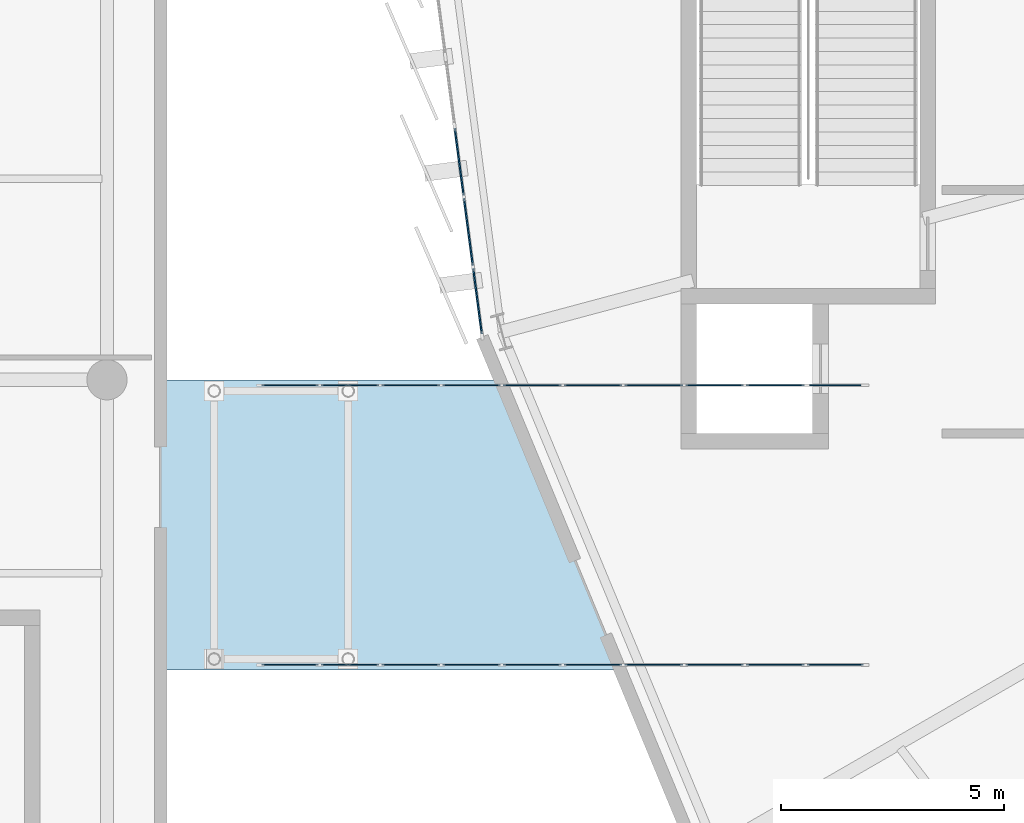
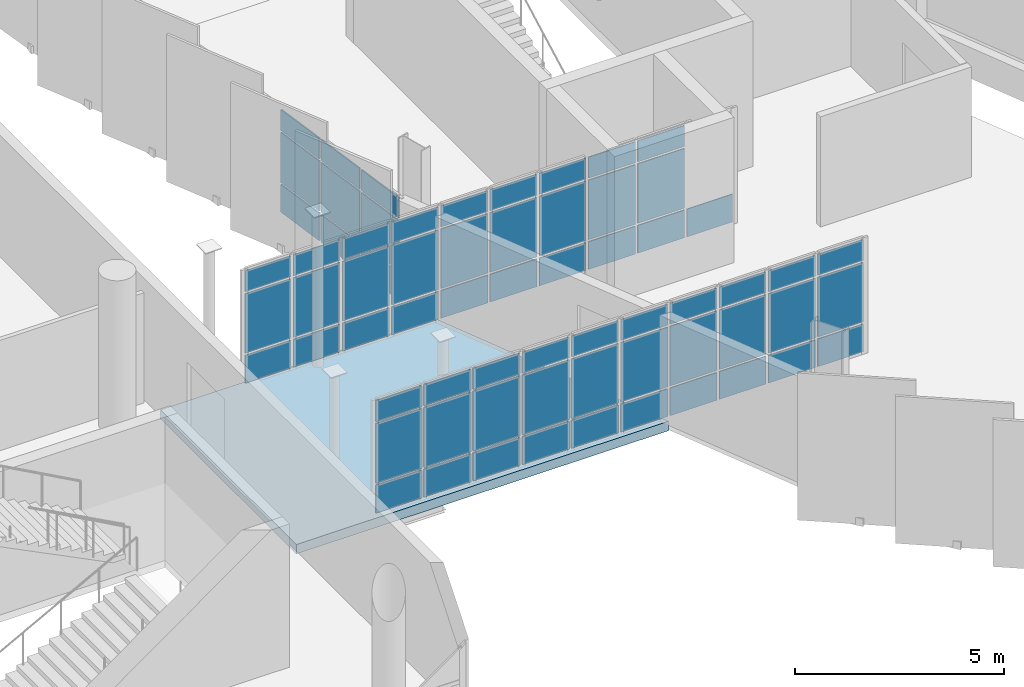
# One storey, part 81 of 125: 67 plates, 1 slab, 3 elements without a shape of their own.
"""IFC4 building model written with IfcOpenShell, lengths in metres."""

from ifc_helpers import new_model, si_unit, direction, frame, origin, origin_2d, place, context, subcontext, project, spatial, polyline, rectangle, outline, extrude, material, layer, layer_set, type_object, element, aggregate, save


model = new_model("IFC4")

# Units and contexts
model_context = context("Model", 3, precision=1e-05, world=origin(), true_north=direction((0.0, 1.0)))
body_context = subcontext(model_context, "Body", "Model", "MODEL_VIEW")
ifc_project = project(units=[si_unit("LENGTHUNIT", "METRE"), si_unit("AREAUNIT", "SQUARE_METRE"), si_unit("VOLUMEUNIT", "CUBIC_METRE"), si_unit("PLANEANGLEUNIT", "RADIAN"), si_unit("MASSUNIT", "GRAM", prefix="KILO")], contexts=[model_context])

# Site, building, storey
site_placement = place(None, origin())
site = spatial("IfcSite", under=ifc_project, at=site_placement, CompositionType="ELEMENT")
building_placement = place(site_placement, origin())
building = spatial("IfcBuilding", under=site, at=building_placement, Name="Sohan Crest Arena", CompositionType="ELEMENT")
storey_placement = place(building_placement, frame((0.0, 0.0, 9.0)))
storey = spatial("IfcBuildingStorey", under=building, at=storey_placement, Name="L02", CompositionType="ELEMENT", Elevation=9.0)

# Curtain wall, plates
ifc_material_1 = material(Name="Thermally broken anodised aluminium", Category="aluminium")
ifc_layer_1 = layer(ifc_material_1, 0.18994140625, Name="Thermally broken anodised aluminium")
ifc_layer_set_1 = layer_set([ifc_layer_1], Name="Thermally broken anodised aluminium")
curtain_wall_type_1 = type_object("IfcCurtainWallType", Name="ARC-CW05", PredefinedType="NOTDEFINED", material=ifc_layer_set_1)
curtain_wall_1_placement = place(storey_placement, origin())
curtain_wall_1 = element("IfcCurtainWall", 1, at=curtain_wall_1_placement, inside=storey, type_object=curtain_wall_type_1, Name="Unitised curtain wall CW-227", PredefinedType="NOTDEFINED")
ifc_material_2 = material(Name="Low-E double-glazed insulated glass", Category="glass")
ifc_layer_2 = layer(ifc_material_2, 0.028076171875, Name="Low-E double-glazed insulated glass")
ifc_layer_set_2 = layer_set([ifc_layer_2], Name="Low-E double-glazed insulated glass")
plate_type_1 = type_object("IfcPlateType", Name="ARC-CNP01", PredefinedType="CURTAIN_PANEL", material=ifc_layer_set_2)
plate_1_placement = place(storey_placement, frame((46.896240234375, 58.1201171875, 0.06005859375), z_axis=(0.0, 0.0, 1.0), x_axis=(1.0, 0.0, 0.0)))
plate_1 = element("IfcPlate", 2, at=plate_1_placement, type_object=plate_type_1, Name="CW-227 panel 1.1", PredefinedType="CURTAIN_PANEL", context=body_context, shape_type="SweptSolid", body=[
    extrude(rectangle(XDim=1.262451171875, YDim=0.028076171875, at=origin_2d()), origin(), (0.0, 0.0, 1.0), 0.81005859375),
])
plate_2_placement = place(storey_placement, frame((46.896240234375, 58.1201171875, 0.93017578125), z_axis=(0.0, 0.0, 1.0), x_axis=(1.0, 0.0, 0.0)))
plate_2 = element("IfcPlate", 3, at=plate_2_placement, type_object=plate_type_1, Name="CW-227 panel 1.2", PredefinedType="CURTAIN_PANEL", context=body_context, shape_type="SweptSolid", body=[
    extrude(rectangle(XDim=1.262451171875, YDim=0.028076171875, at=origin_2d()), origin(), (0.0, 0.0, 1.0), 1.739990234375),
])
plate_3_placement = place(storey_placement, frame((46.896240234375, 58.1201171875, 2.72998046875), z_axis=(0.0, 0.0, 1.0), x_axis=(1.0, 0.0, 0.0)))
plate_3 = element("IfcPlate", 4, at=plate_3_placement, type_object=plate_type_1, Name="CW-227 panel 1.3", PredefinedType="CURTAIN_PANEL", context=body_context, shape_type="SweptSolid", body=[
    extrude(rectangle(XDim=1.262451171875, YDim=0.028076171875, at=origin_2d()), origin(), (0.0, 0.0, 1.0), 0.610107421875),
])
plate_4_placement = place(storey_placement, frame((48.239990234375, 58.1201171875, 0.06005859375), z_axis=(0.0, 0.0, 1.0), x_axis=(1.0, 0.0, 0.0)))
plate_4 = element("IfcPlate", 5, at=plate_4_placement, type_object=plate_type_1, Name="CW-227 panel 2.1", PredefinedType="CURTAIN_PANEL", context=body_context, shape_type="SweptSolid", body=[
    extrude(rectangle(XDim=1.294921875, YDim=0.028076171875, at=origin_2d()), origin(), (0.0, 0.0, 1.0), 0.81005859375),
])
plate_5_placement = place(storey_placement, frame((48.239990234375, 58.1201171875, 0.93017578125), z_axis=(0.0, 0.0, 1.0), x_axis=(1.0, 0.0, 0.0)))
plate_5 = element("IfcPlate", 6, at=plate_5_placement, type_object=plate_type_1, Name="CW-227 panel 2.2", PredefinedType="CURTAIN_PANEL", context=body_context, shape_type="SweptSolid", body=[
    extrude(rectangle(XDim=1.294921875, YDim=0.028076171875, at=origin_2d()), origin(), (0.0, 0.0, 1.0), 1.739990234375),
])
plate_6_placement = place(storey_placement, frame((48.239990234375, 58.1201171875, 2.72998046875), z_axis=(0.0, 0.0, 1.0), x_axis=(1.0, 0.0, 0.0)))
plate_6 = element("IfcPlate", 7, at=plate_6_placement, type_object=plate_type_1, Name="CW-227 panel 2.3", PredefinedType="CURTAIN_PANEL", context=body_context, shape_type="SweptSolid", body=[
    extrude(rectangle(XDim=1.294921875, YDim=0.028076171875, at=origin_2d()), origin(), (0.0, 0.0, 1.0), 0.610107421875),
])
plate_7_placement = place(storey_placement, frame((49.60009765625, 58.1201171875, 0.06005859375), z_axis=(0.0, 0.0, 1.0), x_axis=(1.0, 0.0, 0.0)))
plate_7 = element("IfcPlate", 8, at=plate_7_placement, type_object=plate_type_1, Name="CW-227 panel 3.1", PredefinedType="CURTAIN_PANEL", context=body_context, shape_type="SweptSolid", body=[
    extrude(rectangle(XDim=1.294921875, YDim=0.028076171875, at=origin_2d()), origin(), (0.0, 0.0, 1.0), 0.81005859375),
])
plate_8_placement = place(storey_placement, frame((49.60009765625, 58.1201171875, 0.93017578125), z_axis=(0.0, 0.0, 1.0), x_axis=(1.0, 0.0, 0.0)))
plate_8 = element("IfcPlate", 9, at=plate_8_placement, type_object=plate_type_1, Name="CW-227 panel 3.2", PredefinedType="CURTAIN_PANEL", context=body_context, shape_type="SweptSolid", body=[
    extrude(rectangle(XDim=1.294921875, YDim=0.028076171875, at=origin_2d()), origin(), (0.0, 0.0, 1.0), 1.739990234375),
])
plate_9_placement = place(storey_placement, frame((49.60009765625, 58.1201171875, 2.72998046875), z_axis=(0.0, 0.0, 1.0), x_axis=(1.0, 0.0, 0.0)))
plate_9 = element("IfcPlate", 10, at=plate_9_placement, type_object=plate_type_1, Name="CW-227 panel 3.3", PredefinedType="CURTAIN_PANEL", context=body_context, shape_type="SweptSolid", body=[
    extrude(rectangle(XDim=1.294921875, YDim=0.028076171875, at=origin_2d()), origin(), (0.0, 0.0, 1.0), 0.610107421875),
])
plate_10_placement = place(storey_placement, frame((50.9599609375, 58.1201171875, 0.06005859375), z_axis=(0.0, 0.0, 1.0), x_axis=(1.0, 0.0, 0.0)))
plate_10 = element("IfcPlate", 11, at=plate_10_placement, type_object=plate_type_1, Name="CW-227 panel 4.1", PredefinedType="CURTAIN_PANEL", context=body_context, shape_type="SweptSolid", body=[
    extrude(rectangle(XDim=1.294921875, YDim=0.028076171875, at=origin_2d()), origin(), (0.0, 0.0, 1.0), 0.81005859375),
])
plate_11_placement = place(storey_placement, frame((50.9599609375, 58.1201171875, 0.93017578125), z_axis=(0.0, 0.0, 1.0), x_axis=(1.0, 0.0, 0.0)))
plate_11 = element("IfcPlate", 12, at=plate_11_placement, type_object=plate_type_1, Name="CW-227 panel 4.2", PredefinedType="CURTAIN_PANEL", context=body_context, shape_type="SweptSolid", body=[
    extrude(rectangle(XDim=1.294921875, YDim=0.028076171875, at=origin_2d()), origin(), (0.0, 0.0, 1.0), 1.739990234375),
])
plate_12_placement = place(storey_placement, frame((50.9599609375, 58.1201171875, 2.72998046875), z_axis=(0.0, 0.0, 1.0), x_axis=(1.0, 0.0, 0.0)))
plate_12 = element("IfcPlate", 13, at=plate_12_placement, type_object=plate_type_1, Name="CW-227 panel 4.3", PredefinedType="CURTAIN_PANEL", context=body_context, shape_type="SweptSolid", body=[
    extrude(rectangle(XDim=1.294921875, YDim=0.028076171875, at=origin_2d()), origin(), (0.0, 0.0, 1.0), 0.610107421875),
])
plate_13_placement = place(storey_placement, frame((52.320068359375, 58.1201171875, 0.06005859375), z_axis=(0.0, 0.0, 1.0), x_axis=(1.0, 0.0, 0.0)))
plate_13 = element("IfcPlate", 14, at=plate_13_placement, type_object=plate_type_1, Name="CW-227 panel 5.1", PredefinedType="CURTAIN_PANEL", context=body_context, shape_type="SweptSolid", body=[
    extrude(rectangle(XDim=1.294921875, YDim=0.028076171875, at=origin_2d()), origin(), (0.0, 0.0, 1.0), 0.81005859375),
])
plate_14_placement = place(storey_placement, frame((52.320068359375, 58.1201171875, 0.93017578125), z_axis=(0.0, 0.0, 1.0), x_axis=(1.0, 0.0, 0.0)))
plate_14 = element("IfcPlate", 15, at=plate_14_placement, type_object=plate_type_1, Name="CW-227 panel 5.2", PredefinedType="CURTAIN_PANEL", context=body_context, shape_type="SweptSolid", body=[
    extrude(rectangle(XDim=1.294921875, YDim=0.028076171875, at=origin_2d()), origin(), (0.0, 0.0, 1.0), 1.739990234375),
])
plate_15_placement = place(storey_placement, frame((52.320068359375, 58.1201171875, 2.72998046875), z_axis=(0.0, 0.0, 1.0), x_axis=(1.0, 0.0, 0.0)))
plate_15 = element("IfcPlate", 16, at=plate_15_placement, type_object=plate_type_1, Name="CW-227 panel 5.3", PredefinedType="CURTAIN_PANEL", context=body_context, shape_type="SweptSolid", body=[
    extrude(rectangle(XDim=1.294921875, YDim=0.028076171875, at=origin_2d()), origin(), (0.0, 0.0, 1.0), 0.610107421875),
])
plate_16_placement = place(storey_placement, frame((53.679931640625, 58.1201171875, 0.06005859375), z_axis=(0.0, 0.0, 1.0), x_axis=(1.0, 0.0, 0.0)))
plate_16 = element("IfcPlate", 17, at=plate_16_placement, type_object=plate_type_1, Name="CW-227 panel 6.1", PredefinedType="CURTAIN_PANEL", context=body_context, shape_type="SweptSolid", body=[
    extrude(rectangle(XDim=1.294921875, YDim=0.028076171875, at=origin_2d()), origin(), (0.0, 0.0, 1.0), 0.81005859375),
])
plate_17_placement = place(storey_placement, frame((53.679931640625, 58.1201171875, 0.93017578125), z_axis=(0.0, 0.0, 1.0), x_axis=(1.0, 0.0, 0.0)))
plate_17 = element("IfcPlate", 18, at=plate_17_placement, type_object=plate_type_1, Name="CW-227 panel 6.2", PredefinedType="CURTAIN_PANEL", context=body_context, shape_type="SweptSolid", body=[
    extrude(rectangle(XDim=1.294921875, YDim=0.028076171875, at=origin_2d()), origin(), (0.0, 0.0, 1.0), 1.739990234375),
])
plate_18_placement = place(storey_placement, frame((53.679931640625, 58.1201171875, 2.72998046875), z_axis=(0.0, 0.0, 1.0), x_axis=(1.0, 0.0, 0.0)))
plate_18 = element("IfcPlate", 19, at=plate_18_placement, type_object=plate_type_1, Name="CW-227 panel 6.3", PredefinedType="CURTAIN_PANEL", context=body_context, shape_type="SweptSolid", body=[
    extrude(rectangle(XDim=1.294921875, YDim=0.028076171875, at=origin_2d()), origin(), (0.0, 0.0, 1.0), 0.610107421875),
])
plate_19_placement = place(storey_placement, frame((55.0400390625, 58.1201171875, 0.06005859375), z_axis=(0.0, 0.0, 1.0), x_axis=(1.0, 0.0, 0.0)))
plate_19 = element("IfcPlate", 20, at=plate_19_placement, type_object=plate_type_1, Name="CW-227 panel 7.1", PredefinedType="CURTAIN_PANEL", context=body_context, shape_type="SweptSolid", body=[
    extrude(rectangle(XDim=1.294921875, YDim=0.028076171875, at=origin_2d()), origin(), (0.0, 0.0, 1.0), 0.81005859375),
])
plate_20_placement = place(storey_placement, frame((55.0400390625, 58.1201171875, 0.93017578125), z_axis=(0.0, 0.0, 1.0), x_axis=(1.0, 0.0, 0.0)))
plate_20 = element("IfcPlate", 21, at=plate_20_placement, type_object=plate_type_1, Name="CW-227 panel 7.2", PredefinedType="CURTAIN_PANEL", context=body_context, shape_type="SweptSolid", body=[
    extrude(rectangle(XDim=1.294921875, YDim=0.028076171875, at=origin_2d()), origin(), (0.0, 0.0, 1.0), 1.739990234375),
])
plate_21_placement = place(storey_placement, frame((55.0400390625, 58.1201171875, 2.72998046875), z_axis=(0.0, 0.0, 1.0), x_axis=(1.0, 0.0, 0.0)))
plate_21 = element("IfcPlate", 22, at=plate_21_placement, type_object=plate_type_1, Name="CW-227 panel 7.3", PredefinedType="CURTAIN_PANEL", context=body_context, shape_type="SweptSolid", body=[
    extrude(rectangle(XDim=1.294921875, YDim=0.028076171875, at=origin_2d()), origin(), (0.0, 0.0, 1.0), 0.610107421875),
])
plate_22_placement = place(storey_placement, frame((56.39990234375, 58.1201171875, 0.06005859375), z_axis=(0.0, 0.0, 1.0), x_axis=(1.0, 0.0, 0.0)))
plate_22 = element("IfcPlate", 23, at=plate_22_placement, type_object=plate_type_1, Name="CW-227 panel 8.1", PredefinedType="CURTAIN_PANEL", context=body_context, shape_type="SweptSolid", body=[
    extrude(rectangle(XDim=1.294921875, YDim=0.028076171875, at=origin_2d()), origin(), (0.0, 0.0, 1.0), 0.81005859375),
])
plate_23_placement = place(storey_placement, frame((56.39990234375, 58.1201171875, 0.93017578125), z_axis=(0.0, 0.0, 1.0), x_axis=(1.0, 0.0, 0.0)))
plate_23 = element("IfcPlate", 24, at=plate_23_placement, type_object=plate_type_1, Name="CW-227 panel 8.2", PredefinedType="CURTAIN_PANEL", context=body_context, shape_type="SweptSolid", body=[
    extrude(rectangle(XDim=1.294921875, YDim=0.028076171875, at=origin_2d()), origin(), (0.0, 0.0, 1.0), 1.739990234375),
])
plate_24_placement = place(storey_placement, frame((56.39990234375, 58.1201171875, 2.72998046875), z_axis=(0.0, 0.0, 1.0), x_axis=(1.0, 0.0, 0.0)))
plate_24 = element("IfcPlate", 25, at=plate_24_placement, type_object=plate_type_1, Name="CW-227 panel 8.3", PredefinedType="CURTAIN_PANEL", context=body_context, shape_type="SweptSolid", body=[
    extrude(rectangle(XDim=1.294921875, YDim=0.028076171875, at=origin_2d()), origin(), (0.0, 0.0, 1.0), 0.610107421875),
])
plate_25_placement = place(storey_placement, frame((57.760009765625, 58.1201171875, 0.06005859375), z_axis=(0.0, 0.0, 1.0), x_axis=(1.0, 0.0, 0.0)))
plate_25 = element("IfcPlate", 26, at=plate_25_placement, type_object=plate_type_1, Name="CW-227 panel 9.1", PredefinedType="CURTAIN_PANEL", context=body_context, shape_type="SweptSolid", body=[
    extrude(rectangle(XDim=1.294921875, YDim=0.028076171875, at=origin_2d()), origin(), (0.0, 0.0, 1.0), 0.81005859375),
])
plate_26_placement = place(storey_placement, frame((57.760009765625, 58.1201171875, 0.93017578125), z_axis=(0.0, 0.0, 1.0), x_axis=(1.0, 0.0, 0.0)))
plate_26 = element("IfcPlate", 27, at=plate_26_placement, type_object=plate_type_1, Name="CW-227 panel 9.2", PredefinedType="CURTAIN_PANEL", context=body_context, shape_type="SweptSolid", body=[
    extrude(rectangle(XDim=1.294921875, YDim=0.028076171875, at=origin_2d()), origin(), (0.0, 0.0, 1.0), 1.739990234375),
])
plate_27_placement = place(storey_placement, frame((57.760009765625, 58.1201171875, 2.72998046875), z_axis=(0.0, 0.0, 1.0), x_axis=(1.0, 0.0, 0.0)))
plate_27 = element("IfcPlate", 28, at=plate_27_placement, type_object=plate_type_1, Name="CW-227 panel 9.3", PredefinedType="CURTAIN_PANEL", context=body_context, shape_type="SweptSolid", body=[
    extrude(rectangle(XDim=1.294921875, YDim=0.028076171875, at=origin_2d()), origin(), (0.0, 0.0, 1.0), 0.610107421875),
])
plate_28_placement = place(storey_placement, frame((59.103759765625, 58.1201171875, 0.06005859375), z_axis=(0.0, 0.0, 1.0), x_axis=(1.0, 0.0, 0.0)))
plate_28 = element("IfcPlate", 29, at=plate_28_placement, type_object=plate_type_1, Name="CW-227 panel 10.1", PredefinedType="CURTAIN_PANEL", context=body_context, shape_type="SweptSolid", body=[
    extrude(rectangle(XDim=1.262451171875, YDim=0.028076171875, at=origin_2d()), origin(), (0.0, 0.0, 1.0), 0.81005859375),
])
plate_29_placement = place(storey_placement, frame((59.103759765625, 58.1201171875, 0.93017578125), z_axis=(0.0, 0.0, 1.0), x_axis=(1.0, 0.0, 0.0)))
plate_29 = element("IfcPlate", 30, at=plate_29_placement, type_object=plate_type_1, Name="CW-227 panel 10.2", PredefinedType="CURTAIN_PANEL", context=body_context, shape_type="SweptSolid", body=[
    extrude(rectangle(XDim=1.262451171875, YDim=0.028076171875, at=origin_2d()), origin(), (0.0, 0.0, 1.0), 1.739990234375),
])
plate_30_placement = place(storey_placement, frame((59.103759765625, 58.1201171875, 2.72998046875), z_axis=(0.0, 0.0, 1.0), x_axis=(1.0, 0.0, 0.0)))
plate_30 = element("IfcPlate", 31, at=plate_30_placement, type_object=plate_type_1, Name="CW-227 panel 10.3", PredefinedType="CURTAIN_PANEL", context=body_context, shape_type="SweptSolid", body=[
    extrude(rectangle(XDim=1.262451171875, YDim=0.028076171875, at=origin_2d()), origin(), (0.0, 0.0, 1.0), 0.610107421875),
])
aggregate(curtain_wall_1, [plate_1, plate_2, plate_3, plate_4, plate_5, plate_6, plate_7, plate_8, plate_9, plate_10, plate_11, plate_12, plate_13, plate_14, plate_15, plate_16, plate_17, plate_18, plate_19, plate_20, plate_21, plate_22, plate_23, plate_24, plate_25, plate_26, plate_27, plate_28, plate_29, plate_30])

curtain_wall_2_placement = place(storey_placement, origin())
curtain_wall_2 = element("IfcCurtainWall", 32, at=curtain_wall_2_placement, inside=storey, type_object=curtain_wall_type_1, Name="Unitised curtain wall CW-228", PredefinedType="NOTDEFINED")
plate_31_placement = place(storey_placement, frame((46.896240234375, 64.3798828125, 0.06005859375), z_axis=(0.0, 0.0, 1.0), x_axis=(1.0, 0.0, 0.0)))
plate_31 = element("IfcPlate", 33, at=plate_31_placement, type_object=plate_type_1, Name="CW-228 panel 1.1", PredefinedType="CURTAIN_PANEL", context=body_context, shape_type="SweptSolid", body=[
    extrude(rectangle(XDim=1.262451171875, YDim=0.028076171875, at=origin_2d()), origin(), (0.0, 0.0, 1.0), 0.81005859375),
])
plate_32_placement = place(storey_placement, frame((46.896240234375, 64.3798828125, 0.93017578125), z_axis=(0.0, 0.0, 1.0), x_axis=(1.0, 0.0, 0.0)))
plate_32 = element("IfcPlate", 34, at=plate_32_placement, type_object=plate_type_1, Name="CW-228 panel 1.2", PredefinedType="CURTAIN_PANEL", context=body_context, shape_type="SweptSolid", body=[
    extrude(rectangle(XDim=1.262451171875, YDim=0.028076171875, at=origin_2d()), origin(), (0.0, 0.0, 1.0), 1.739990234375),
])
plate_33_placement = place(storey_placement, frame((46.896240234375, 64.3798828125, 2.72998046875), z_axis=(0.0, 0.0, 1.0), x_axis=(1.0, 0.0, 0.0)))
plate_33 = element("IfcPlate", 35, at=plate_33_placement, type_object=plate_type_1, Name="CW-228 panel 1.3", PredefinedType="CURTAIN_PANEL", context=body_context, shape_type="SweptSolid", body=[
    extrude(rectangle(XDim=1.262451171875, YDim=0.028076171875, at=origin_2d()), origin(), (0.0, 0.0, 1.0), 0.610107421875),
])
plate_34_placement = place(storey_placement, frame((48.239990234375, 64.3798828125, 0.06005859375), z_axis=(0.0, 0.0, 1.0), x_axis=(1.0, 0.0, 0.0)))
plate_34 = element("IfcPlate", 36, at=plate_34_placement, type_object=plate_type_1, Name="CW-228 panel 2.1", PredefinedType="CURTAIN_PANEL", context=body_context, shape_type="SweptSolid", body=[
    extrude(rectangle(XDim=1.294921875, YDim=0.028076171875, at=origin_2d()), origin(), (0.0, 0.0, 1.0), 0.81005859375),
])
plate_35_placement = place(storey_placement, frame((48.239990234375, 64.3798828125, 0.93017578125), z_axis=(0.0, 0.0, 1.0), x_axis=(1.0, 0.0, 0.0)))
plate_35 = element("IfcPlate", 37, at=plate_35_placement, type_object=plate_type_1, Name="CW-228 panel 2.2", PredefinedType="CURTAIN_PANEL", context=body_context, shape_type="SweptSolid", body=[
    extrude(rectangle(XDim=1.294921875, YDim=0.028076171875, at=origin_2d()), origin(), (0.0, 0.0, 1.0), 1.739990234375),
])
plate_36_placement = place(storey_placement, frame((48.239990234375, 64.3798828125, 2.72998046875), z_axis=(0.0, 0.0, 1.0), x_axis=(1.0, 0.0, 0.0)))
plate_36 = element("IfcPlate", 38, at=plate_36_placement, type_object=plate_type_1, Name="CW-228 panel 2.3", PredefinedType="CURTAIN_PANEL", context=body_context, shape_type="SweptSolid", body=[
    extrude(rectangle(XDim=1.294921875, YDim=0.028076171875, at=origin_2d()), origin(), (0.0, 0.0, 1.0), 0.610107421875),
])
plate_37_placement = place(storey_placement, frame((49.60009765625, 64.3798828125, 0.06005859375), z_axis=(0.0, 0.0, 1.0), x_axis=(1.0, 0.0, 0.0)))
plate_37 = element("IfcPlate", 39, at=plate_37_placement, type_object=plate_type_1, Name="CW-228 panel 3.1", PredefinedType="CURTAIN_PANEL", context=body_context, shape_type="SweptSolid", body=[
    extrude(rectangle(XDim=1.294921875, YDim=0.028076171875, at=origin_2d()), origin(), (0.0, 0.0, 1.0), 0.81005859375),
])
plate_38_placement = place(storey_placement, frame((49.60009765625, 64.3798828125, 0.93017578125), z_axis=(0.0, 0.0, 1.0), x_axis=(1.0, 0.0, 0.0)))
plate_38 = element("IfcPlate", 40, at=plate_38_placement, type_object=plate_type_1, Name="CW-228 panel 3.2", PredefinedType="CURTAIN_PANEL", context=body_context, shape_type="SweptSolid", body=[
    extrude(rectangle(XDim=1.294921875, YDim=0.028076171875, at=origin_2d()), origin(), (0.0, 0.0, 1.0), 1.739990234375),
])
plate_39_placement = place(storey_placement, frame((49.60009765625, 64.3798828125, 2.72998046875), z_axis=(0.0, 0.0, 1.0), x_axis=(1.0, 0.0, 0.0)))
plate_39 = element("IfcPlate", 41, at=plate_39_placement, type_object=plate_type_1, Name="CW-228 panel 3.3", PredefinedType="CURTAIN_PANEL", context=body_context, shape_type="SweptSolid", body=[
    extrude(rectangle(XDim=1.294921875, YDim=0.028076171875, at=origin_2d()), origin(), (0.0, 0.0, 1.0), 0.610107421875),
])
plate_40_placement = place(storey_placement, frame((50.9599609375, 64.3798828125, 0.06005859375), z_axis=(0.0, 0.0, 1.0), x_axis=(1.0, 0.0, 0.0)))
plate_40 = element("IfcPlate", 42, at=plate_40_placement, type_object=plate_type_1, Name="CW-228 panel 4.1", PredefinedType="CURTAIN_PANEL", context=body_context, shape_type="SweptSolid", body=[
    extrude(rectangle(XDim=1.294921875, YDim=0.028076171875, at=origin_2d()), origin(), (0.0, 0.0, 1.0), 0.81005859375),
])
plate_41_placement = place(storey_placement, frame((50.9599609375, 64.3798828125, 0.93017578125), z_axis=(0.0, 0.0, 1.0), x_axis=(1.0, 0.0, 0.0)))
plate_41 = element("IfcPlate", 43, at=plate_41_placement, type_object=plate_type_1, Name="CW-228 panel 4.2", PredefinedType="CURTAIN_PANEL", context=body_context, shape_type="SweptSolid", body=[
    extrude(rectangle(XDim=1.294921875, YDim=0.028076171875, at=origin_2d()), origin(), (0.0, 0.0, 1.0), 1.739990234375),
])
plate_42_placement = place(storey_placement, frame((50.9599609375, 64.3798828125, 2.72998046875), z_axis=(0.0, 0.0, 1.0), x_axis=(1.0, 0.0, 0.0)))
plate_42 = element("IfcPlate", 44, at=plate_42_placement, type_object=plate_type_1, Name="CW-228 panel 4.3", PredefinedType="CURTAIN_PANEL", context=body_context, shape_type="SweptSolid", body=[
    extrude(rectangle(XDim=1.294921875, YDim=0.028076171875, at=origin_2d()), origin(), (0.0, 0.0, 1.0), 0.610107421875),
])
plate_43_placement = place(storey_placement, frame((52.320068359375, 64.3798828125, 0.06005859375), z_axis=(0.0, 0.0, 1.0), x_axis=(1.0, 0.0, 0.0)))
plate_43 = element("IfcPlate", 45, at=plate_43_placement, type_object=plate_type_1, Name="CW-228 panel 5.1", PredefinedType="CURTAIN_PANEL", context=body_context, shape_type="SweptSolid", body=[
    extrude(rectangle(XDim=1.294921875, YDim=0.028076171875, at=origin_2d()), origin(), (0.0, 0.0, 1.0), 0.81005859375),
])
plate_44_placement = place(storey_placement, frame((52.320068359375, 64.3798828125, 0.93017578125), z_axis=(0.0, 0.0, 1.0), x_axis=(1.0, 0.0, 0.0)))
plate_44 = element("IfcPlate", 46, at=plate_44_placement, type_object=plate_type_1, Name="CW-228 panel 5.2", PredefinedType="CURTAIN_PANEL", context=body_context, shape_type="SweptSolid", body=[
    extrude(rectangle(XDim=1.294921875, YDim=0.028076171875, at=origin_2d()), origin(), (0.0, 0.0, 1.0), 1.739990234375),
])
plate_45_placement = place(storey_placement, frame((52.320068359375, 64.3798828125, 2.72998046875), z_axis=(0.0, 0.0, 1.0), x_axis=(1.0, 0.0, 0.0)))
plate_45 = element("IfcPlate", 47, at=plate_45_placement, type_object=plate_type_1, Name="CW-228 panel 5.3", PredefinedType="CURTAIN_PANEL", context=body_context, shape_type="SweptSolid", body=[
    extrude(rectangle(XDim=1.294921875, YDim=0.028076171875, at=origin_2d()), origin(), (0.0, 0.0, 1.0), 0.610107421875),
])
plate_46_placement = place(storey_placement, frame((53.679931640625, 64.3798828125, 0.06005859375), z_axis=(0.0, 0.0, 1.0), x_axis=(1.0, 0.0, 0.0)))
plate_46 = element("IfcPlate", 48, at=plate_46_placement, type_object=plate_type_1, Name="CW-228 panel 6.1", PredefinedType="CURTAIN_PANEL", context=body_context, shape_type="SweptSolid", body=[
    extrude(rectangle(XDim=1.294921875, YDim=0.028076171875, at=origin_2d()), origin(), (0.0, 0.0, 1.0), 0.81005859375),
])
plate_47_placement = place(storey_placement, frame((53.679931640625, 64.3798828125, 0.93017578125), z_axis=(0.0, 0.0, 1.0), x_axis=(1.0, 0.0, 0.0)))
plate_47 = element("IfcPlate", 49, at=plate_47_placement, type_object=plate_type_1, Name="CW-228 panel 6.2", PredefinedType="CURTAIN_PANEL", context=body_context, shape_type="SweptSolid", body=[
    extrude(rectangle(XDim=1.294921875, YDim=0.028076171875, at=origin_2d()), origin(), (0.0, 0.0, 1.0), 1.739990234375),
])
plate_48_placement = place(storey_placement, frame((53.679931640625, 64.3798828125, 2.72998046875), z_axis=(0.0, 0.0, 1.0), x_axis=(1.0, 0.0, 0.0)))
plate_48 = element("IfcPlate", 50, at=plate_48_placement, type_object=plate_type_1, Name="CW-228 panel 6.3", PredefinedType="CURTAIN_PANEL", context=body_context, shape_type="SweptSolid", body=[
    extrude(rectangle(XDim=1.294921875, YDim=0.028076171875, at=origin_2d()), origin(), (0.0, 0.0, 1.0), 0.610107421875),
])
plate_49_placement = place(storey_placement, frame((55.0400390625, 64.3798828125, 0.06005859375), z_axis=(0.0, 0.0, 1.0), x_axis=(1.0, 0.0, 0.0)))
plate_49 = element("IfcPlate", 51, at=plate_49_placement, type_object=plate_type_1, Name="CW-228 panel 7.1", PredefinedType="CURTAIN_PANEL", context=body_context, shape_type="SweptSolid", body=[
    extrude(rectangle(XDim=1.294921875, YDim=0.028076171875, at=origin_2d()), origin(), (0.0, 0.0, 1.0), 0.81005859375),
])
plate_50_placement = place(storey_placement, frame((55.0400390625, 64.3798828125, 0.93017578125), z_axis=(0.0, 0.0, 1.0), x_axis=(1.0, 0.0, 0.0)))
plate_50 = element("IfcPlate", 52, at=plate_50_placement, type_object=plate_type_1, Name="CW-228 panel 7.2", PredefinedType="CURTAIN_PANEL", context=body_context, shape_type="SweptSolid", body=[
    extrude(rectangle(XDim=1.294921875, YDim=0.028076171875, at=origin_2d()), origin(), (0.0, 0.0, 1.0), 1.739990234375),
])
plate_51_placement = place(storey_placement, frame((55.0400390625, 64.3798828125, 2.72998046875), z_axis=(0.0, 0.0, 1.0), x_axis=(1.0, 0.0, 0.0)))
plate_51 = element("IfcPlate", 53, at=plate_51_placement, type_object=plate_type_1, Name="CW-228 panel 7.3", PredefinedType="CURTAIN_PANEL", context=body_context, shape_type="SweptSolid", body=[
    extrude(rectangle(XDim=1.294921875, YDim=0.028076171875, at=origin_2d()), origin(), (0.0, 0.0, 1.0), 0.610107421875),
])
plate_52_placement = place(storey_placement, frame((56.39990234375, 64.3798828125, 0.06005859375), z_axis=(0.0, 0.0, 1.0), x_axis=(1.0, 0.0, 0.0)))
plate_52 = element("IfcPlate", 54, at=plate_52_placement, type_object=plate_type_1, Name="CW-228 panel 8.1", PredefinedType="CURTAIN_PANEL", context=body_context, shape_type="SweptSolid", body=[
    extrude(rectangle(XDim=1.294921875, YDim=0.028076171875, at=origin_2d()), origin(), (0.0, 0.0, 1.0), 0.81005859375),
])
plate_53_placement = place(storey_placement, frame((56.39990234375, 64.3798828125, 0.93017578125), z_axis=(0.0, 0.0, 1.0), x_axis=(1.0, 0.0, 0.0)))
plate_53 = element("IfcPlate", 55, at=plate_53_placement, type_object=plate_type_1, Name="CW-228 panel 8.2", PredefinedType="CURTAIN_PANEL", context=body_context, shape_type="SweptSolid", body=[
    extrude(rectangle(XDim=1.294921875, YDim=0.028076171875, at=origin_2d()), origin(), (0.0, 0.0, 1.0), 1.739990234375),
])
plate_54_placement = place(storey_placement, frame((56.39990234375, 64.3798828125, 2.72998046875), z_axis=(0.0, 0.0, 1.0), x_axis=(1.0, 0.0, 0.0)))
plate_54 = element("IfcPlate", 56, at=plate_54_placement, type_object=plate_type_1, Name="CW-228 panel 8.3", PredefinedType="CURTAIN_PANEL", context=body_context, shape_type="SweptSolid", body=[
    extrude(rectangle(XDim=1.294921875, YDim=0.028076171875, at=origin_2d()), origin(), (0.0, 0.0, 1.0), 0.610107421875),
])
plate_55_placement = place(storey_placement, frame((57.760009765625, 64.3798828125, 0.06005859375), z_axis=(0.0, 0.0, 1.0), x_axis=(1.0, 0.0, 0.0)))
plate_55 = element("IfcPlate", 57, at=plate_55_placement, type_object=plate_type_1, Name="CW-228 panel 9.1", PredefinedType="CURTAIN_PANEL", context=body_context, shape_type="SweptSolid", body=[
    extrude(rectangle(XDim=1.294921875, YDim=0.028076171875, at=origin_2d()), origin(), (0.0, 0.0, 1.0), 0.81005859375),
])
plate_56_placement = place(storey_placement, frame((57.760009765625, 64.3798828125, 0.93017578125), z_axis=(0.0, 0.0, 1.0), x_axis=(1.0, 0.0, 0.0)))
plate_56 = element("IfcPlate", 58, at=plate_56_placement, type_object=plate_type_1, Name="CW-228 panel 9.2", PredefinedType="CURTAIN_PANEL", context=body_context, shape_type="SweptSolid", body=[
    extrude(rectangle(XDim=1.294921875, YDim=0.028076171875, at=origin_2d()), origin(), (0.0, 0.0, 1.0), 1.739990234375),
])
plate_57_placement = place(storey_placement, frame((57.760009765625, 64.3798828125, 2.72998046875), z_axis=(0.0, 0.0, 1.0), x_axis=(1.0, 0.0, 0.0)))
plate_57 = element("IfcPlate", 59, at=plate_57_placement, type_object=plate_type_1, Name="CW-228 panel 9.3", PredefinedType="CURTAIN_PANEL", context=body_context, shape_type="SweptSolid", body=[
    extrude(rectangle(XDim=1.294921875, YDim=0.028076171875, at=origin_2d()), origin(), (0.0, 0.0, 1.0), 0.610107421875),
])
plate_58_placement = place(storey_placement, frame((59.103759765625, 64.3798828125, 0.06005859375), z_axis=(0.0, 0.0, 1.0), x_axis=(1.0, 0.0, 0.0)))
plate_58 = element("IfcPlate", 60, at=plate_58_placement, type_object=plate_type_1, Name="CW-228 panel 10.1", PredefinedType="CURTAIN_PANEL", context=body_context, shape_type="SweptSolid", body=[
    extrude(rectangle(XDim=1.262451171875, YDim=0.028076171875, at=origin_2d()), origin(), (0.0, 0.0, 1.0), 0.81005859375),
])
aggregate(curtain_wall_2, [plate_31, plate_32, plate_33, plate_34, plate_35, plate_36, plate_37, plate_38, plate_39, plate_40, plate_41, plate_42, plate_43, plate_44, plate_45, plate_46, plate_47, plate_48, plate_49, plate_50, plate_51, plate_52, plate_53, plate_54, plate_55, plate_56, plate_57, plate_58])

ifc_layer_3 = layer(ifc_material_1, 0.179931640625, Name="Thermally broken anodised aluminium")
ifc_layer_set_3 = layer_set([ifc_layer_3], Name="Thermally broken anodised aluminium")
curtain_wall_type_2 = type_object("IfcCurtainWallType", Name="ARC-CW01", PredefinedType="NOTDEFINED", material=ifc_layer_set_3)
curtain_wall_3_placement = place(storey_placement, origin())
curtain_wall_3 = element("IfcCurtainWall", 61, at=curtain_wall_3_placement, inside=storey, type_object=curtain_wall_type_2, Name="Unitised curtain wall CW-055", PredefinedType="NOTDEFINED")
ifc_material_3 = material(Name="Ceramic-fritted solar-control insulated glass", Category="glass")
ifc_layer_4 = layer(ifc_material_3, 0.035888671875, Name="Ceramic-fritted solar-control insulated glass")
ifc_layer_set_4 = layer_set([ifc_layer_4], Name="Ceramic-fritted solar-control insulated glass")
plate_type_2 = type_object("IfcPlateType", Name="ARC-CNP03", PredefinedType="CURTAIN_PANEL", material=ifc_layer_set_4)
plate_59_placement = place(storey_placement, frame((50.68505859375, 69.378662109375, 0.06005859375), z_axis=(0.0, 0.0, 1.0), x_axis=(0.130532229177, -0.991444066575, 0.0)))
plate_59 = element("IfcPlate", 62, at=plate_59_placement, type_object=plate_type_2, Name="CW-055 panel 6.1", PredefinedType="CURTAIN_PANEL", context=body_context, shape_type="SweptSolid", body=[
    extrude(rectangle(XDim=1.510986328125, YDim=0.035888671875, at=origin_2d()), origin(), (0.0, 0.0, 1.0), 0.81005859375),
])
plate_60_placement = place(storey_placement, frame((50.68505859375, 69.378662109375, 0.929931640625), z_axis=(0.0, 0.0, 1.0), x_axis=(0.130532229177, -0.991444066575, 0.0)))
plate_60 = element("IfcPlate", 63, at=plate_60_placement, type_object=plate_type_2, Name="CW-055 panel 6.2", PredefinedType="CURTAIN_PANEL", context=body_context, shape_type="SweptSolid", body=[
    extrude(rectangle(XDim=1.510986328125, YDim=0.035888671875, at=origin_2d()), origin(), (0.0, 0.0, 1.0), 1.4599609375),
])
plate_61_placement = place(storey_placement, frame((50.68505859375, 69.378662109375, 2.44970703125), z_axis=(0.0, 0.0, 1.0), x_axis=(0.130532229177, -0.991444066575, 0.0)))
plate_61 = element("IfcPlate", 64, at=plate_61_placement, type_object=plate_type_2, Name="CW-055 panel 6.3", PredefinedType="CURTAIN_PANEL", context=body_context, shape_type="SweptSolid", body=[
    extrude(rectangle(XDim=1.510986328125, YDim=0.035888671875, at=origin_2d()), origin(), (0.0, 0.0, 1.0), 0.610107421875),
])
plate_62_placement = place(storey_placement, frame((50.891357421875, 67.811279296875, 0.06005859375), z_axis=(0.0, 0.0, 1.0), x_axis=(0.130532229177, -0.991444066575, 0.0)))
plate_62 = element("IfcPlate", 65, at=plate_62_placement, type_object=plate_type_2, Name="CW-055 panel 7.1", PredefinedType="CURTAIN_PANEL", context=body_context, shape_type="SweptSolid", body=[
    extrude(rectangle(XDim=1.510986328125, YDim=0.035888671875, at=origin_2d()), origin(), (0.0, 0.0, 1.0), 0.81005859375),
])
plate_63_placement = place(storey_placement, frame((50.891357421875, 67.811279296875, 0.929931640625), z_axis=(0.0, 0.0, 1.0), x_axis=(0.130532229177, -0.991444066575, 0.0)))
plate_63 = element("IfcPlate", 66, at=plate_63_placement, type_object=plate_type_2, Name="CW-055 panel 7.2", PredefinedType="CURTAIN_PANEL", context=body_context, shape_type="SweptSolid", body=[
    extrude(rectangle(XDim=1.510986328125, YDim=0.035888671875, at=origin_2d()), origin(), (0.0, 0.0, 1.0), 1.4599609375),
])
plate_64_placement = place(storey_placement, frame((50.891357421875, 67.811279296875, 2.44970703125), z_axis=(0.0, 0.0, 1.0), x_axis=(0.130532229177, -0.991444066575, 0.0)))
plate_64 = element("IfcPlate", 67, at=plate_64_placement, type_object=plate_type_2, Name="CW-055 panel 7.3", PredefinedType="CURTAIN_PANEL", context=body_context, shape_type="SweptSolid", body=[
    extrude(rectangle(XDim=1.510986328125, YDim=0.035888671875, at=origin_2d()), origin(), (0.0, 0.0, 1.0), 0.610107421875),
])
plate_65_placement = place(storey_placement, frame((51.095458984375, 66.260986328125, 0.06005859375), z_axis=(0.0, 0.0, 1.0), x_axis=(0.130532229177, -0.991444066575, 0.0)))
plate_65 = element("IfcPlate", 68, at=plate_65_placement, type_object=plate_type_2, Name="CW-055 panel 8.1", PredefinedType="CURTAIN_PANEL", context=body_context, shape_type="SweptSolid", body=[
    extrude(rectangle(XDim=1.47607421875, YDim=0.035888671875, at=origin_2d()), origin(), (0.0, 0.0, 1.0), 0.81005859375),
])
plate_66_placement = place(storey_placement, frame((51.095458984375, 66.260986328125, 0.929931640625), z_axis=(0.0, 0.0, 1.0), x_axis=(0.130532229177, -0.991444066575, 0.0)))
plate_66 = element("IfcPlate", 69, at=plate_66_placement, type_object=plate_type_2, Name="CW-055 panel 8.2", PredefinedType="CURTAIN_PANEL", context=body_context, shape_type="SweptSolid", body=[
    extrude(rectangle(XDim=1.47607421875, YDim=0.035888671875, at=origin_2d()), origin(), (0.0, 0.0, 1.0), 1.4599609375),
])
plate_67_placement = place(storey_placement, frame((51.095458984375, 66.260986328125, 2.44970703125), z_axis=(0.0, 0.0, 1.0), x_axis=(0.130532229177, -0.991444066575, 0.0)))
plate_67 = element("IfcPlate", 70, at=plate_67_placement, type_object=plate_type_2, Name="CW-055 panel 8.3", PredefinedType="CURTAIN_PANEL", context=body_context, shape_type="SweptSolid", body=[
    extrude(rectangle(XDim=1.47607421875, YDim=0.035888671875, at=origin_2d()), origin(), (0.0, 0.0, 1.0), 0.610107421875),
])
aggregate(curtain_wall_3, [plate_59, plate_60, plate_61, plate_62, plate_63, plate_64, plate_65, plate_66, plate_67])

# Slab
ifc_material_4 = material(Name="Concrete C40/50", Category="concrete")
ifc_layer_5 = layer(ifc_material_4, 0.27490234375, Name="Concrete C40/50")
ifc_layer_set_5 = layer_set([ifc_layer_5], Name="Concrete C40/50")
slab_type = type_object("IfcSlabType", Name="SL-FLR4", PredefinedType="FLOOR", material=ifc_layer_set_5)
slab_placement = place(storey_placement, frame((0.0, 0.0, -0.27490234375)))
element("IfcSlab", 71, at=slab_placement, inside=storey, type_object=slab_type, Name="Covered bridge BR-W1 L02 deck SL-BR-W1-L02", PredefinedType="FLOOR", context=body_context, shape_type="SweptSolid", body=[
    extrude(outline(polyline([(51.59912109375, 64.5), (54.291015625, 58.0), (44.0, 58.0), (44.0, 64.5), (51.59912109375, 64.5)])), origin(), (0.0, 0.0, 1.0), 0.27490234375),
])

save(model, "model.ifc")
